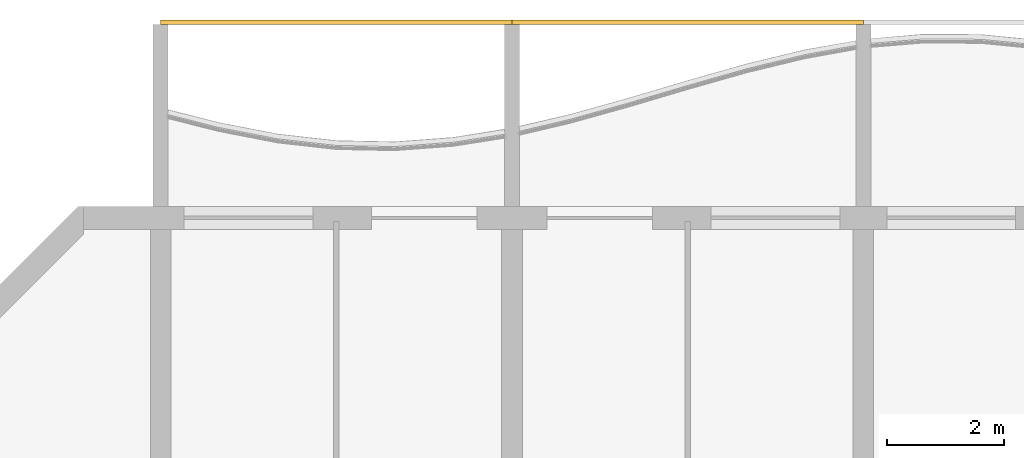
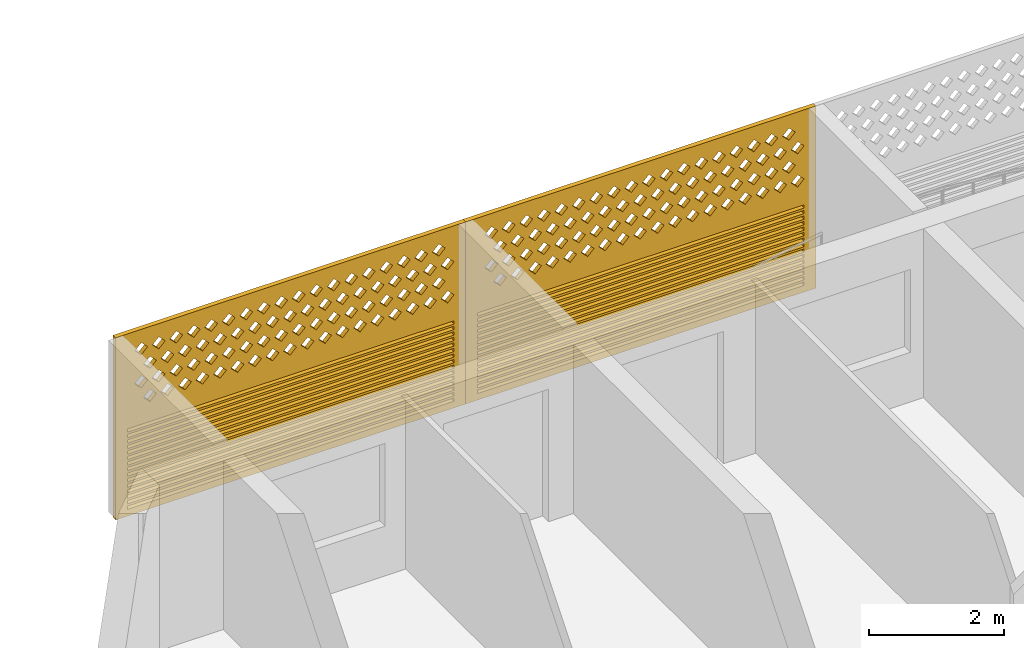
# One storey, part 19 of 26: 2 coverings.
"""IFC4 building model written with IfcOpenShell, lengths in metres."""

from ifc_helpers import new_model, si_unit, direction, frame, origin, place, context, subcontext, project, spatial, polyline, outline, extrude, source, transform, mapped, material, material_profile, profile_set, type_object, element, save


model = new_model("IFC4")

# Units and contexts
model_context = context("Model", 3, precision=1e-05, world=origin(), true_north=direction((0.0, 1.0)))
body_context = subcontext(model_context, "Body", "Model", "MODEL_VIEW")
ifc_project = project(units=[si_unit("LENGTHUNIT", "METRE"), si_unit("AREAUNIT", "SQUARE_METRE"), si_unit("VOLUMEUNIT", "CUBIC_METRE"), si_unit("PLANEANGLEUNIT", "RADIAN"), si_unit("MASSUNIT", "GRAM", prefix="KILO")], contexts=[model_context])

# Site, building, storey
site_placement = place(None, origin())
site = spatial("IfcSite", under=ifc_project, at=site_placement, CompositionType="ELEMENT")
building_placement = place(site_placement, origin())
building = spatial("IfcBuilding", under=site, at=building_placement, Name="Poui Terraces", CompositionType="ELEMENT")
storey_placement = place(building_placement, frame((0.0, 0.0, 79.5)))
storey = spatial("IfcBuildingStorey", under=building, at=storey_placement, Name="L21", CompositionType="ELEMENT", Elevation=79.5)

# Coverings
ifc_material = material(Name="Terracotta screen", Category="masonry")
ifc_material_profile = material_profile(ifc_material, outline(polyline([(-3.0, -1.64990234375), (3.0, -1.64990234375), (3.0, 1.64990234375), (-3.0, 1.64990234375), (-3.0, -1.64990234375)]), holes=[polyline([(-2.800048828125, 0.39990234375), (-2.68994140625, 0.2900390625), (-2.580078125, 0.39990234375), (-2.68994140625, 0.510009765625), (-2.800048828125, 0.39990234375)]), polyline([(-2.5, 0.39990234375), (-2.389892578125, 0.2900390625), (-2.280029296875, 0.39990234375), (-2.389892578125, 0.510009765625), (-2.5, 0.39990234375)]), polyline([(-2.199951171875, 0.39990234375), (-2.090087890625, 0.2900390625), (-1.97998046875, 0.39990234375), (-2.090087890625, 0.510009765625), (-2.199951171875, 0.39990234375)]), polyline([(-1.89990234375, 0.39990234375), (-1.7900390625, 0.2900390625), (-1.679931640625, 0.39990234375), (-1.7900390625, 0.510009765625), (-1.89990234375, 0.39990234375)]), polyline([(-1.60009765625, 0.39990234375), (-1.489990234375, 0.2900390625), (-1.3798828125, 0.39990234375), (-1.489990234375, 0.510009765625), (-1.60009765625, 0.39990234375)]), polyline([(-1.300048828125, 0.39990234375), (-1.18994140625, 0.2900390625), (-1.080078125, 0.39990234375), (-1.18994140625, 0.510009765625), (-1.300048828125, 0.39990234375)]), polyline([(-1.0, 0.39990234375), (-0.889892578125, 0.2900390625), (-0.780029296875, 0.39990234375), (-0.889892578125, 0.510009765625), (-1.0, 0.39990234375)]), polyline([(-0.699951171875, 0.39990234375), (-0.590087890625, 0.2900390625), (-0.47998046875, 0.39990234375), (-0.590087890625, 0.510009765625), (-0.699951171875, 0.39990234375)]), polyline([(-0.39990234375, 0.39990234375), (-0.2900390625, 0.2900390625), (-0.179931640625, 0.39990234375), (-0.2900390625, 0.510009765625), (-0.39990234375, 0.39990234375)]), polyline([(-0.10009765625, 0.39990234375), (0.010009765625, 0.2900390625), (0.1201171875, 0.39990234375), (0.010009765625, 0.510009765625), (-0.10009765625, 0.39990234375)]), polyline([(0.199951171875, 0.39990234375), (0.31005859375, 0.2900390625), (0.419921875, 0.39990234375), (0.31005859375, 0.510009765625), (0.199951171875, 0.39990234375)]), polyline([(0.5, 0.39990234375), (0.610107421875, 0.2900390625), (0.719970703125, 0.39990234375), (0.610107421875, 0.510009765625), (0.5, 0.39990234375)]), polyline([(0.800048828125, 0.39990234375), (0.909912109375, 0.2900390625), (1.02001953125, 0.39990234375), (0.909912109375, 0.510009765625), (0.800048828125, 0.39990234375)]), polyline([(1.10009765625, 0.39990234375), (1.2099609375, 0.2900390625), (1.320068359375, 0.39990234375), (1.2099609375, 0.510009765625), (1.10009765625, 0.39990234375)]), polyline([(1.39990234375, 0.39990234375), (1.510009765625, 0.2900390625), (1.6201171875, 0.39990234375), (1.510009765625, 0.510009765625), (1.39990234375, 0.39990234375)]), polyline([(1.699951171875, 0.39990234375), (1.81005859375, 0.2900390625), (1.919921875, 0.39990234375), (1.81005859375, 0.510009765625), (1.699951171875, 0.39990234375)]), polyline([(2.0, 0.39990234375), (2.110107421875, 0.2900390625), (2.219970703125, 0.39990234375), (2.110107421875, 0.510009765625), (2.0, 0.39990234375)]), polyline([(2.300048828125, 0.39990234375), (2.409912109375, 0.2900390625), (2.52001953125, 0.39990234375), (2.409912109375, 0.510009765625), (2.300048828125, 0.39990234375)]), polyline([(-2.64990234375, 0.699951171875), (-2.5400390625, 0.590087890625), (-2.429931640625, 0.699951171875), (-2.5400390625, 0.81005859375), (-2.64990234375, 0.699951171875)]), polyline([(-2.35009765625, 0.699951171875), (-2.239990234375, 0.590087890625), (-2.1298828125, 0.699951171875), (-2.239990234375, 0.81005859375), (-2.35009765625, 0.699951171875)]), polyline([(-2.050048828125, 0.699951171875), (-1.93994140625, 0.590087890625), (-1.830078125, 0.699951171875), (-1.93994140625, 0.81005859375), (-2.050048828125, 0.699951171875)]), polyline([(-1.75, 0.699951171875), (-1.639892578125, 0.590087890625), (-1.530029296875, 0.699951171875), (-1.639892578125, 0.81005859375), (-1.75, 0.699951171875)]), polyline([(-1.449951171875, 0.699951171875), (-1.340087890625, 0.590087890625), (-1.22998046875, 0.699951171875), (-1.340087890625, 0.81005859375), (-1.449951171875, 0.699951171875)]), polyline([(-1.14990234375, 0.699951171875), (-1.0400390625, 0.590087890625), (-0.929931640625, 0.699951171875), (-1.0400390625, 0.81005859375), (-1.14990234375, 0.699951171875)]), polyline([(-0.85009765625, 0.699951171875), (-0.739990234375, 0.590087890625), (-0.6298828125, 0.699951171875), (-0.739990234375, 0.81005859375), (-0.85009765625, 0.699951171875)]), polyline([(-0.550048828125, 0.699951171875), (-0.43994140625, 0.590087890625), (-0.330078125, 0.699951171875), (-0.43994140625, 0.81005859375), (-0.550048828125, 0.699951171875)]), polyline([(-0.25, 0.699951171875), (-0.139892578125, 0.590087890625), (-0.030029296875, 0.699951171875), (-0.139892578125, 0.81005859375), (-0.25, 0.699951171875)]), polyline([(0.050048828125, 0.699951171875), (0.159912109375, 0.590087890625), (0.27001953125, 0.699951171875), (0.159912109375, 0.81005859375), (0.050048828125, 0.699951171875)]), polyline([(0.35009765625, 0.699951171875), (0.4599609375, 0.590087890625), (0.570068359375, 0.699951171875), (0.4599609375, 0.81005859375), (0.35009765625, 0.699951171875)]), polyline([(0.64990234375, 0.699951171875), (0.760009765625, 0.590087890625), (0.8701171875, 0.699951171875), (0.760009765625, 0.81005859375), (0.64990234375, 0.699951171875)]), polyline([(0.949951171875, 0.699951171875), (1.06005859375, 0.590087890625), (1.169921875, 0.699951171875), (1.06005859375, 0.81005859375), (0.949951171875, 0.699951171875)]), polyline([(1.25, 0.699951171875), (1.360107421875, 0.590087890625), (1.469970703125, 0.699951171875), (1.360107421875, 0.81005859375), (1.25, 0.699951171875)]), polyline([(1.550048828125, 0.699951171875), (1.659912109375, 0.590087890625), (1.77001953125, 0.699951171875), (1.659912109375, 0.81005859375), (1.550048828125, 0.699951171875)]), polyline([(1.85009765625, 0.699951171875), (1.9599609375, 0.590087890625), (2.070068359375, 0.699951171875), (1.9599609375, 0.81005859375), (1.85009765625, 0.699951171875)]), polyline([(2.14990234375, 0.699951171875), (2.260009765625, 0.590087890625), (2.3701171875, 0.699951171875), (2.260009765625, 0.81005859375), (2.14990234375, 0.699951171875)]), polyline([(2.449951171875, 0.699951171875), (2.56005859375, 0.590087890625), (2.669921875, 0.699951171875), (2.56005859375, 0.81005859375), (2.449951171875, 0.699951171875)]), polyline([(-2.800048828125, 1.0), (-2.68994140625, 0.889892578125), (-2.580078125, 1.0), (-2.68994140625, 1.110107421875), (-2.800048828125, 1.0)]), polyline([(-2.5, 1.0), (-2.389892578125, 0.889892578125), (-2.280029296875, 1.0), (-2.389892578125, 1.110107421875), (-2.5, 1.0)]), polyline([(-2.199951171875, 1.0), (-2.090087890625, 0.889892578125), (-1.97998046875, 1.0), (-2.090087890625, 1.110107421875), (-2.199951171875, 1.0)]), polyline([(-1.89990234375, 1.0), (-1.7900390625, 0.889892578125), (-1.679931640625, 1.0), (-1.7900390625, 1.110107421875), (-1.89990234375, 1.0)]), polyline([(-1.60009765625, 1.0), (-1.489990234375, 0.889892578125), (-1.3798828125, 1.0), (-1.489990234375, 1.110107421875), (-1.60009765625, 1.0)]), polyline([(-1.300048828125, 1.0), (-1.18994140625, 0.889892578125), (-1.080078125, 1.0), (-1.18994140625, 1.110107421875), (-1.300048828125, 1.0)]), polyline([(-1.0, 1.0), (-0.889892578125, 0.889892578125), (-0.780029296875, 1.0), (-0.889892578125, 1.110107421875), (-1.0, 1.0)]), polyline([(-0.699951171875, 1.0), (-0.590087890625, 0.889892578125), (-0.47998046875, 1.0), (-0.590087890625, 1.110107421875), (-0.699951171875, 1.0)]), polyline([(-0.39990234375, 1.0), (-0.2900390625, 0.889892578125), (-0.179931640625, 1.0), (-0.2900390625, 1.110107421875), (-0.39990234375, 1.0)]), polyline([(-0.10009765625, 1.0), (0.010009765625, 0.889892578125), (0.1201171875, 1.0), (0.010009765625, 1.110107421875), (-0.10009765625, 1.0)]), polyline([(0.199951171875, 1.0), (0.31005859375, 0.889892578125), (0.419921875, 1.0), (0.31005859375, 1.110107421875), (0.199951171875, 1.0)]), polyline([(0.5, 1.0), (0.610107421875, 0.889892578125), (0.719970703125, 1.0), (0.610107421875, 1.110107421875), (0.5, 1.0)]), polyline([(0.800048828125, 1.0), (0.909912109375, 0.889892578125), (1.02001953125, 1.0), (0.909912109375, 1.110107421875), (0.800048828125, 1.0)]), polyline([(1.10009765625, 1.0), (1.2099609375, 0.889892578125), (1.320068359375, 1.0), (1.2099609375, 1.110107421875), (1.10009765625, 1.0)]), polyline([(1.39990234375, 1.0), (1.510009765625, 0.889892578125), (1.6201171875, 1.0), (1.510009765625, 1.110107421875), (1.39990234375, 1.0)]), polyline([(1.699951171875, 1.0), (1.81005859375, 0.889892578125), (1.919921875, 1.0), (1.81005859375, 1.110107421875), (1.699951171875, 1.0)]), polyline([(2.0, 1.0), (2.110107421875, 0.889892578125), (2.219970703125, 1.0), (2.110107421875, 1.110107421875), (2.0, 1.0)]), polyline([(2.300048828125, 1.0), (2.409912109375, 0.889892578125), (2.52001953125, 1.0), (2.409912109375, 1.110107421875), (2.300048828125, 1.0)]), polyline([(-2.64990234375, 1.300048828125), (-2.5400390625, 1.18994140625), (-2.429931640625, 1.300048828125), (-2.5400390625, 1.409912109375), (-2.64990234375, 1.300048828125)]), polyline([(-2.35009765625, 1.300048828125), (-2.239990234375, 1.18994140625), (-2.1298828125, 1.300048828125), (-2.239990234375, 1.409912109375), (-2.35009765625, 1.300048828125)]), polyline([(-2.050048828125, 1.300048828125), (-1.93994140625, 1.18994140625), (-1.830078125, 1.300048828125), (-1.93994140625, 1.409912109375), (-2.050048828125, 1.300048828125)]), polyline([(-1.75, 1.300048828125), (-1.639892578125, 1.18994140625), (-1.530029296875, 1.300048828125), (-1.639892578125, 1.409912109375), (-1.75, 1.300048828125)]), polyline([(-1.449951171875, 1.300048828125), (-1.340087890625, 1.18994140625), (-1.22998046875, 1.300048828125), (-1.340087890625, 1.409912109375), (-1.449951171875, 1.300048828125)]), polyline([(-1.14990234375, 1.300048828125), (-1.0400390625, 1.18994140625), (-0.929931640625, 1.300048828125), (-1.0400390625, 1.409912109375), (-1.14990234375, 1.300048828125)]), polyline([(-0.85009765625, 1.300048828125), (-0.739990234375, 1.18994140625), (-0.6298828125, 1.300048828125), (-0.739990234375, 1.409912109375), (-0.85009765625, 1.300048828125)]), polyline([(-0.550048828125, 1.300048828125), (-0.43994140625, 1.18994140625), (-0.330078125, 1.300048828125), (-0.43994140625, 1.409912109375), (-0.550048828125, 1.300048828125)]), polyline([(-0.25, 1.300048828125), (-0.139892578125, 1.18994140625), (-0.030029296875, 1.300048828125), (-0.139892578125, 1.409912109375), (-0.25, 1.300048828125)]), polyline([(0.050048828125, 1.300048828125), (0.159912109375, 1.18994140625), (0.27001953125, 1.300048828125), (0.159912109375, 1.409912109375), (0.050048828125, 1.300048828125)]), polyline([(0.35009765625, 1.300048828125), (0.4599609375, 1.18994140625), (0.570068359375, 1.300048828125), (0.4599609375, 1.409912109375), (0.35009765625, 1.300048828125)]), polyline([(0.64990234375, 1.300048828125), (0.760009765625, 1.18994140625), (0.8701171875, 1.300048828125), (0.760009765625, 1.409912109375), (0.64990234375, 1.300048828125)]), polyline([(0.949951171875, 1.300048828125), (1.06005859375, 1.18994140625), (1.169921875, 1.300048828125), (1.06005859375, 1.409912109375), (0.949951171875, 1.300048828125)]), polyline([(1.25, 1.300048828125), (1.360107421875, 1.18994140625), (1.469970703125, 1.300048828125), (1.360107421875, 1.409912109375), (1.25, 1.300048828125)]), polyline([(1.550048828125, 1.300048828125), (1.659912109375, 1.18994140625), (1.77001953125, 1.300048828125), (1.659912109375, 1.409912109375), (1.550048828125, 1.300048828125)]), polyline([(1.85009765625, 1.300048828125), (1.9599609375, 1.18994140625), (2.070068359375, 1.300048828125), (1.9599609375, 1.409912109375), (1.85009765625, 1.300048828125)]), polyline([(2.14990234375, 1.300048828125), (2.260009765625, 1.18994140625), (2.3701171875, 1.300048828125), (2.260009765625, 1.409912109375), (2.14990234375, 1.300048828125)]), polyline([(2.449951171875, 1.300048828125), (2.56005859375, 1.18994140625), (2.669921875, 1.300048828125), (2.56005859375, 1.409912109375), (2.449951171875, 1.300048828125)]), polyline([(-2.800048828125, -1.530029296875), (2.800048828125, -1.530029296875), (2.800048828125, -1.469970703125), (-2.800048828125, -1.469970703125), (-2.800048828125, -1.530029296875)]), polyline([(-2.800048828125, -1.429931640625), (2.800048828125, -1.429931640625), (2.800048828125, -1.3701171875), (-2.800048828125, -1.3701171875), (-2.800048828125, -1.429931640625)]), polyline([(-2.800048828125, -1.330078125), (2.800048828125, -1.330078125), (2.800048828125, -1.27001953125), (-2.800048828125, -1.27001953125), (-2.800048828125, -1.330078125)]), polyline([(-2.800048828125, -1.22998046875), (2.800048828125, -1.22998046875), (2.800048828125, -1.169921875), (-2.800048828125, -1.169921875), (-2.800048828125, -1.22998046875)]), polyline([(-2.800048828125, -1.1298828125), (2.800048828125, -1.1298828125), (2.800048828125, -1.070068359375), (-2.800048828125, -1.070068359375), (-2.800048828125, -1.1298828125)]), polyline([(-2.800048828125, -1.030029296875), (2.800048828125, -1.030029296875), (2.800048828125, -0.969970703125), (-2.800048828125, -0.969970703125), (-2.800048828125, -1.030029296875)]), polyline([(-2.800048828125, -0.929931640625), (2.800048828125, -0.929931640625), (2.800048828125, -0.8701171875), (-2.800048828125, -0.8701171875), (-2.800048828125, -0.929931640625)]), polyline([(-2.800048828125, -0.830078125), (2.800048828125, -0.830078125), (2.800048828125, -0.77001953125), (-2.800048828125, -0.77001953125), (-2.800048828125, -0.830078125)]), polyline([(-2.800048828125, -0.72998046875), (2.800048828125, -0.72998046875), (2.800048828125, -0.669921875), (-2.800048828125, -0.669921875), (-2.800048828125, -0.72998046875)]), polyline([(-2.800048828125, -0.6298828125), (2.800048828125, -0.6298828125), (2.800048828125, -0.570068359375), (-2.800048828125, -0.570068359375), (-2.800048828125, -0.6298828125)]), polyline([(-2.800048828125, -0.530029296875), (2.800048828125, -0.530029296875), (2.800048828125, -0.469970703125), (-2.800048828125, -0.469970703125), (-2.800048828125, -0.530029296875)]), polyline([(-2.800048828125, -0.429931640625), (2.800048828125, -0.429931640625), (2.800048828125, -0.3701171875), (-2.800048828125, -0.3701171875), (-2.800048828125, -0.429931640625)]), polyline([(-2.800048828125, -0.330078125), (2.800048828125, -0.330078125), (2.800048828125, -0.27001953125), (-2.800048828125, -0.27001953125), (-2.800048828125, -0.330078125)]), polyline([(-2.800048828125, -0.22998046875), (2.800048828125, -0.22998046875), (2.800048828125, -0.169921875), (-2.800048828125, -0.169921875), (-2.800048828125, -0.22998046875)]), polyline([(-2.800048828125, -0.1298828125), (2.800048828125, -0.1298828125), (2.800048828125, -0.070068359375), (-2.800048828125, -0.070068359375), (-2.800048828125, -0.1298828125)])]), Name="TERRACOTTA SCREEN AND JALOUSIE LOUVRE 6000X3300")
ifc_profile_set = profile_set([ifc_material_profile], Name="Terracotta screen")
covering_type = type_object("IfcCoveringType", Name="TERRACOTTA SCREEN AND JALOUSIE LOUVRE 6000X3300", PredefinedType="CLADDING", material=ifc_profile_set)
shared_shape = source(origin(), body_context, "Body", "SweptSolid", [
    extrude(outline(polyline([(-3.0, -1.64990234375), (3.0, -1.64990234375), (3.0, 1.64990234375), (-3.0, 1.64990234375), (-3.0, -1.64990234375)]), holes=[polyline([(-2.800048828125, 0.39990234375), (-2.68994140625, 0.2900390625), (-2.580078125, 0.39990234375), (-2.68994140625, 0.510009765625), (-2.800048828125, 0.39990234375)]), polyline([(-2.5, 0.39990234375), (-2.389892578125, 0.2900390625), (-2.280029296875, 0.39990234375), (-2.389892578125, 0.510009765625), (-2.5, 0.39990234375)]), polyline([(-2.199951171875, 0.39990234375), (-2.090087890625, 0.2900390625), (-1.97998046875, 0.39990234375), (-2.090087890625, 0.510009765625), (-2.199951171875, 0.39990234375)]), polyline([(-1.89990234375, 0.39990234375), (-1.7900390625, 0.2900390625), (-1.679931640625, 0.39990234375), (-1.7900390625, 0.510009765625), (-1.89990234375, 0.39990234375)]), polyline([(-1.60009765625, 0.39990234375), (-1.489990234375, 0.2900390625), (-1.3798828125, 0.39990234375), (-1.489990234375, 0.510009765625), (-1.60009765625, 0.39990234375)]), polyline([(-1.300048828125, 0.39990234375), (-1.18994140625, 0.2900390625), (-1.080078125, 0.39990234375), (-1.18994140625, 0.510009765625), (-1.300048828125, 0.39990234375)]), polyline([(-1.0, 0.39990234375), (-0.889892578125, 0.2900390625), (-0.780029296875, 0.39990234375), (-0.889892578125, 0.510009765625), (-1.0, 0.39990234375)]), polyline([(-0.699951171875, 0.39990234375), (-0.590087890625, 0.2900390625), (-0.47998046875, 0.39990234375), (-0.590087890625, 0.510009765625), (-0.699951171875, 0.39990234375)]), polyline([(-0.39990234375, 0.39990234375), (-0.2900390625, 0.2900390625), (-0.179931640625, 0.39990234375), (-0.2900390625, 0.510009765625), (-0.39990234375, 0.39990234375)]), polyline([(-0.10009765625, 0.39990234375), (0.010009765625, 0.2900390625), (0.1201171875, 0.39990234375), (0.010009765625, 0.510009765625), (-0.10009765625, 0.39990234375)]), polyline([(0.199951171875, 0.39990234375), (0.31005859375, 0.2900390625), (0.419921875, 0.39990234375), (0.31005859375, 0.510009765625), (0.199951171875, 0.39990234375)]), polyline([(0.5, 0.39990234375), (0.610107421875, 0.2900390625), (0.719970703125, 0.39990234375), (0.610107421875, 0.510009765625), (0.5, 0.39990234375)]), polyline([(0.800048828125, 0.39990234375), (0.909912109375, 0.2900390625), (1.02001953125, 0.39990234375), (0.909912109375, 0.510009765625), (0.800048828125, 0.39990234375)]), polyline([(1.10009765625, 0.39990234375), (1.2099609375, 0.2900390625), (1.320068359375, 0.39990234375), (1.2099609375, 0.510009765625), (1.10009765625, 0.39990234375)]), polyline([(1.39990234375, 0.39990234375), (1.510009765625, 0.2900390625), (1.6201171875, 0.39990234375), (1.510009765625, 0.510009765625), (1.39990234375, 0.39990234375)]), polyline([(1.699951171875, 0.39990234375), (1.81005859375, 0.2900390625), (1.919921875, 0.39990234375), (1.81005859375, 0.510009765625), (1.699951171875, 0.39990234375)]), polyline([(2.0, 0.39990234375), (2.110107421875, 0.2900390625), (2.219970703125, 0.39990234375), (2.110107421875, 0.510009765625), (2.0, 0.39990234375)]), polyline([(2.300048828125, 0.39990234375), (2.409912109375, 0.2900390625), (2.52001953125, 0.39990234375), (2.409912109375, 0.510009765625), (2.300048828125, 0.39990234375)]), polyline([(-2.64990234375, 0.699951171875), (-2.5400390625, 0.590087890625), (-2.429931640625, 0.699951171875), (-2.5400390625, 0.81005859375), (-2.64990234375, 0.699951171875)]), polyline([(-2.35009765625, 0.699951171875), (-2.239990234375, 0.590087890625), (-2.1298828125, 0.699951171875), (-2.239990234375, 0.81005859375), (-2.35009765625, 0.699951171875)]), polyline([(-2.050048828125, 0.699951171875), (-1.93994140625, 0.590087890625), (-1.830078125, 0.699951171875), (-1.93994140625, 0.81005859375), (-2.050048828125, 0.699951171875)]), polyline([(-1.75, 0.699951171875), (-1.639892578125, 0.590087890625), (-1.530029296875, 0.699951171875), (-1.639892578125, 0.81005859375), (-1.75, 0.699951171875)]), polyline([(-1.449951171875, 0.699951171875), (-1.340087890625, 0.590087890625), (-1.22998046875, 0.699951171875), (-1.340087890625, 0.81005859375), (-1.449951171875, 0.699951171875)]), polyline([(-1.14990234375, 0.699951171875), (-1.0400390625, 0.590087890625), (-0.929931640625, 0.699951171875), (-1.0400390625, 0.81005859375), (-1.14990234375, 0.699951171875)]), polyline([(-0.85009765625, 0.699951171875), (-0.739990234375, 0.590087890625), (-0.6298828125, 0.699951171875), (-0.739990234375, 0.81005859375), (-0.85009765625, 0.699951171875)]), polyline([(-0.550048828125, 0.699951171875), (-0.43994140625, 0.590087890625), (-0.330078125, 0.699951171875), (-0.43994140625, 0.81005859375), (-0.550048828125, 0.699951171875)]), polyline([(-0.25, 0.699951171875), (-0.139892578125, 0.590087890625), (-0.030029296875, 0.699951171875), (-0.139892578125, 0.81005859375), (-0.25, 0.699951171875)]), polyline([(0.050048828125, 0.699951171875), (0.159912109375, 0.590087890625), (0.27001953125, 0.699951171875), (0.159912109375, 0.81005859375), (0.050048828125, 0.699951171875)]), polyline([(0.35009765625, 0.699951171875), (0.4599609375, 0.590087890625), (0.570068359375, 0.699951171875), (0.4599609375, 0.81005859375), (0.35009765625, 0.699951171875)]), polyline([(0.64990234375, 0.699951171875), (0.760009765625, 0.590087890625), (0.8701171875, 0.699951171875), (0.760009765625, 0.81005859375), (0.64990234375, 0.699951171875)]), polyline([(0.949951171875, 0.699951171875), (1.06005859375, 0.590087890625), (1.169921875, 0.699951171875), (1.06005859375, 0.81005859375), (0.949951171875, 0.699951171875)]), polyline([(1.25, 0.699951171875), (1.360107421875, 0.590087890625), (1.469970703125, 0.699951171875), (1.360107421875, 0.81005859375), (1.25, 0.699951171875)]), polyline([(1.550048828125, 0.699951171875), (1.659912109375, 0.590087890625), (1.77001953125, 0.699951171875), (1.659912109375, 0.81005859375), (1.550048828125, 0.699951171875)]), polyline([(1.85009765625, 0.699951171875), (1.9599609375, 0.590087890625), (2.070068359375, 0.699951171875), (1.9599609375, 0.81005859375), (1.85009765625, 0.699951171875)]), polyline([(2.14990234375, 0.699951171875), (2.260009765625, 0.590087890625), (2.3701171875, 0.699951171875), (2.260009765625, 0.81005859375), (2.14990234375, 0.699951171875)]), polyline([(2.449951171875, 0.699951171875), (2.56005859375, 0.590087890625), (2.669921875, 0.699951171875), (2.56005859375, 0.81005859375), (2.449951171875, 0.699951171875)]), polyline([(-2.800048828125, 1.0), (-2.68994140625, 0.889892578125), (-2.580078125, 1.0), (-2.68994140625, 1.110107421875), (-2.800048828125, 1.0)]), polyline([(-2.5, 1.0), (-2.389892578125, 0.889892578125), (-2.280029296875, 1.0), (-2.389892578125, 1.110107421875), (-2.5, 1.0)]), polyline([(-2.199951171875, 1.0), (-2.090087890625, 0.889892578125), (-1.97998046875, 1.0), (-2.090087890625, 1.110107421875), (-2.199951171875, 1.0)]), polyline([(-1.89990234375, 1.0), (-1.7900390625, 0.889892578125), (-1.679931640625, 1.0), (-1.7900390625, 1.110107421875), (-1.89990234375, 1.0)]), polyline([(-1.60009765625, 1.0), (-1.489990234375, 0.889892578125), (-1.3798828125, 1.0), (-1.489990234375, 1.110107421875), (-1.60009765625, 1.0)]), polyline([(-1.300048828125, 1.0), (-1.18994140625, 0.889892578125), (-1.080078125, 1.0), (-1.18994140625, 1.110107421875), (-1.300048828125, 1.0)]), polyline([(-1.0, 1.0), (-0.889892578125, 0.889892578125), (-0.780029296875, 1.0), (-0.889892578125, 1.110107421875), (-1.0, 1.0)]), polyline([(-0.699951171875, 1.0), (-0.590087890625, 0.889892578125), (-0.47998046875, 1.0), (-0.590087890625, 1.110107421875), (-0.699951171875, 1.0)]), polyline([(-0.39990234375, 1.0), (-0.2900390625, 0.889892578125), (-0.179931640625, 1.0), (-0.2900390625, 1.110107421875), (-0.39990234375, 1.0)]), polyline([(-0.10009765625, 1.0), (0.010009765625, 0.889892578125), (0.1201171875, 1.0), (0.010009765625, 1.110107421875), (-0.10009765625, 1.0)]), polyline([(0.199951171875, 1.0), (0.31005859375, 0.889892578125), (0.419921875, 1.0), (0.31005859375, 1.110107421875), (0.199951171875, 1.0)]), polyline([(0.5, 1.0), (0.610107421875, 0.889892578125), (0.719970703125, 1.0), (0.610107421875, 1.110107421875), (0.5, 1.0)]), polyline([(0.800048828125, 1.0), (0.909912109375, 0.889892578125), (1.02001953125, 1.0), (0.909912109375, 1.110107421875), (0.800048828125, 1.0)]), polyline([(1.10009765625, 1.0), (1.2099609375, 0.889892578125), (1.320068359375, 1.0), (1.2099609375, 1.110107421875), (1.10009765625, 1.0)]), polyline([(1.39990234375, 1.0), (1.510009765625, 0.889892578125), (1.6201171875, 1.0), (1.510009765625, 1.110107421875), (1.39990234375, 1.0)]), polyline([(1.699951171875, 1.0), (1.81005859375, 0.889892578125), (1.919921875, 1.0), (1.81005859375, 1.110107421875), (1.699951171875, 1.0)]), polyline([(2.0, 1.0), (2.110107421875, 0.889892578125), (2.219970703125, 1.0), (2.110107421875, 1.110107421875), (2.0, 1.0)]), polyline([(2.300048828125, 1.0), (2.409912109375, 0.889892578125), (2.52001953125, 1.0), (2.409912109375, 1.110107421875), (2.300048828125, 1.0)]), polyline([(-2.64990234375, 1.300048828125), (-2.5400390625, 1.18994140625), (-2.429931640625, 1.300048828125), (-2.5400390625, 1.409912109375), (-2.64990234375, 1.300048828125)]), polyline([(-2.35009765625, 1.300048828125), (-2.239990234375, 1.18994140625), (-2.1298828125, 1.300048828125), (-2.239990234375, 1.409912109375), (-2.35009765625, 1.300048828125)]), polyline([(-2.050048828125, 1.300048828125), (-1.93994140625, 1.18994140625), (-1.830078125, 1.300048828125), (-1.93994140625, 1.409912109375), (-2.050048828125, 1.300048828125)]), polyline([(-1.75, 1.300048828125), (-1.639892578125, 1.18994140625), (-1.530029296875, 1.300048828125), (-1.639892578125, 1.409912109375), (-1.75, 1.300048828125)]), polyline([(-1.449951171875, 1.300048828125), (-1.340087890625, 1.18994140625), (-1.22998046875, 1.300048828125), (-1.340087890625, 1.409912109375), (-1.449951171875, 1.300048828125)]), polyline([(-1.14990234375, 1.300048828125), (-1.0400390625, 1.18994140625), (-0.929931640625, 1.300048828125), (-1.0400390625, 1.409912109375), (-1.14990234375, 1.300048828125)]), polyline([(-0.85009765625, 1.300048828125), (-0.739990234375, 1.18994140625), (-0.6298828125, 1.300048828125), (-0.739990234375, 1.409912109375), (-0.85009765625, 1.300048828125)]), polyline([(-0.550048828125, 1.300048828125), (-0.43994140625, 1.18994140625), (-0.330078125, 1.300048828125), (-0.43994140625, 1.409912109375), (-0.550048828125, 1.300048828125)]), polyline([(-0.25, 1.300048828125), (-0.139892578125, 1.18994140625), (-0.030029296875, 1.300048828125), (-0.139892578125, 1.409912109375), (-0.25, 1.300048828125)]), polyline([(0.050048828125, 1.300048828125), (0.159912109375, 1.18994140625), (0.27001953125, 1.300048828125), (0.159912109375, 1.409912109375), (0.050048828125, 1.300048828125)]), polyline([(0.35009765625, 1.300048828125), (0.4599609375, 1.18994140625), (0.570068359375, 1.300048828125), (0.4599609375, 1.409912109375), (0.35009765625, 1.300048828125)]), polyline([(0.64990234375, 1.300048828125), (0.760009765625, 1.18994140625), (0.8701171875, 1.300048828125), (0.760009765625, 1.409912109375), (0.64990234375, 1.300048828125)]), polyline([(0.949951171875, 1.300048828125), (1.06005859375, 1.18994140625), (1.169921875, 1.300048828125), (1.06005859375, 1.409912109375), (0.949951171875, 1.300048828125)]), polyline([(1.25, 1.300048828125), (1.360107421875, 1.18994140625), (1.469970703125, 1.300048828125), (1.360107421875, 1.409912109375), (1.25, 1.300048828125)]), polyline([(1.550048828125, 1.300048828125), (1.659912109375, 1.18994140625), (1.77001953125, 1.300048828125), (1.659912109375, 1.409912109375), (1.550048828125, 1.300048828125)]), polyline([(1.85009765625, 1.300048828125), (1.9599609375, 1.18994140625), (2.070068359375, 1.300048828125), (1.9599609375, 1.409912109375), (1.85009765625, 1.300048828125)]), polyline([(2.14990234375, 1.300048828125), (2.260009765625, 1.18994140625), (2.3701171875, 1.300048828125), (2.260009765625, 1.409912109375), (2.14990234375, 1.300048828125)]), polyline([(2.449951171875, 1.300048828125), (2.56005859375, 1.18994140625), (2.669921875, 1.300048828125), (2.56005859375, 1.409912109375), (2.449951171875, 1.300048828125)]), polyline([(-2.800048828125, -1.530029296875), (2.800048828125, -1.530029296875), (2.800048828125, -1.469970703125), (-2.800048828125, -1.469970703125), (-2.800048828125, -1.530029296875)]), polyline([(-2.800048828125, -1.429931640625), (2.800048828125, -1.429931640625), (2.800048828125, -1.3701171875), (-2.800048828125, -1.3701171875), (-2.800048828125, -1.429931640625)]), polyline([(-2.800048828125, -1.330078125), (2.800048828125, -1.330078125), (2.800048828125, -1.27001953125), (-2.800048828125, -1.27001953125), (-2.800048828125, -1.330078125)]), polyline([(-2.800048828125, -1.22998046875), (2.800048828125, -1.22998046875), (2.800048828125, -1.169921875), (-2.800048828125, -1.169921875), (-2.800048828125, -1.22998046875)]), polyline([(-2.800048828125, -1.1298828125), (2.800048828125, -1.1298828125), (2.800048828125, -1.070068359375), (-2.800048828125, -1.070068359375), (-2.800048828125, -1.1298828125)]), polyline([(-2.800048828125, -1.030029296875), (2.800048828125, -1.030029296875), (2.800048828125, -0.969970703125), (-2.800048828125, -0.969970703125), (-2.800048828125, -1.030029296875)]), polyline([(-2.800048828125, -0.929931640625), (2.800048828125, -0.929931640625), (2.800048828125, -0.8701171875), (-2.800048828125, -0.8701171875), (-2.800048828125, -0.929931640625)]), polyline([(-2.800048828125, -0.830078125), (2.800048828125, -0.830078125), (2.800048828125, -0.77001953125), (-2.800048828125, -0.77001953125), (-2.800048828125, -0.830078125)]), polyline([(-2.800048828125, -0.72998046875), (2.800048828125, -0.72998046875), (2.800048828125, -0.669921875), (-2.800048828125, -0.669921875), (-2.800048828125, -0.72998046875)]), polyline([(-2.800048828125, -0.6298828125), (2.800048828125, -0.6298828125), (2.800048828125, -0.570068359375), (-2.800048828125, -0.570068359375), (-2.800048828125, -0.6298828125)]), polyline([(-2.800048828125, -0.530029296875), (2.800048828125, -0.530029296875), (2.800048828125, -0.469970703125), (-2.800048828125, -0.469970703125), (-2.800048828125, -0.530029296875)]), polyline([(-2.800048828125, -0.429931640625), (2.800048828125, -0.429931640625), (2.800048828125, -0.3701171875), (-2.800048828125, -0.3701171875), (-2.800048828125, -0.429931640625)]), polyline([(-2.800048828125, -0.330078125), (2.800048828125, -0.330078125), (2.800048828125, -0.27001953125), (-2.800048828125, -0.27001953125), (-2.800048828125, -0.330078125)]), polyline([(-2.800048828125, -0.22998046875), (2.800048828125, -0.22998046875), (2.800048828125, -0.169921875), (-2.800048828125, -0.169921875), (-2.800048828125, -0.22998046875)]), polyline([(-2.800048828125, -0.1298828125), (2.800048828125, -0.1298828125), (2.800048828125, -0.070068359375), (-2.800048828125, -0.070068359375), (-2.800048828125, -0.1298828125)])]), origin(), (0.0, 0.0, 1.0), 0.080078125),
])
for number, where, z_axis, x_axis, name in (
    (1, (15.0, 46.89990234375, 1.449951171875), (0.0, 1.0, 0.0), (-1.0, 0.0, 0.0), "SOLAR SCREEN AND JALOUSIE LOUVRE"),
    (2, (21.0, 46.89990234375, 1.449951171875), (0.0, 1.0, 0.0), (-1.0, 0.0, 0.0), "SOLAR SCREEN AND JALOUSIE LOUVRE"),
):
    element("IfcCovering", number, at=place(storey_placement, frame(where, z_axis=z_axis, x_axis=x_axis)), inside=storey, type_object=covering_type, Name=name, PredefinedType="CLADDING", context=body_context, shape_type="MappedRepresentation", body=[
        mapped(shared_shape, transform((0.0, 0.0, 0.0))),
    ])

save(model, "model.ifc")
